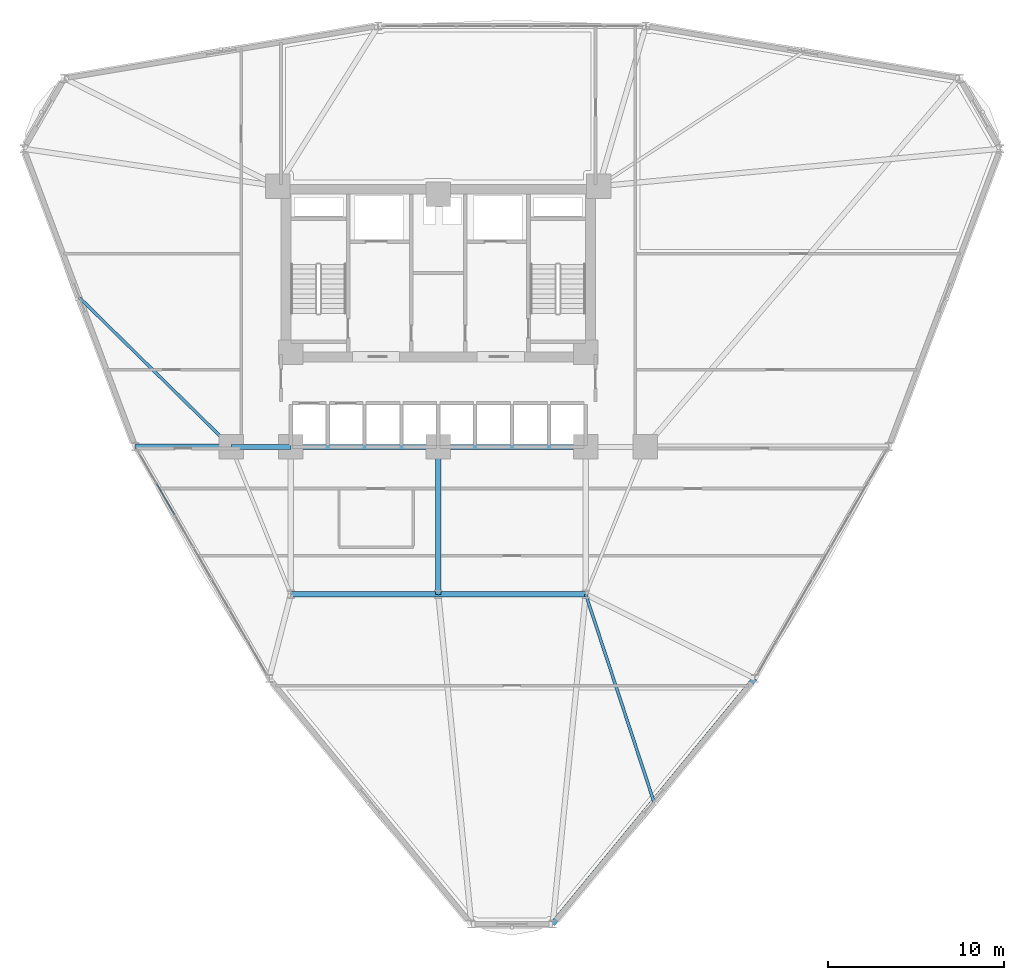
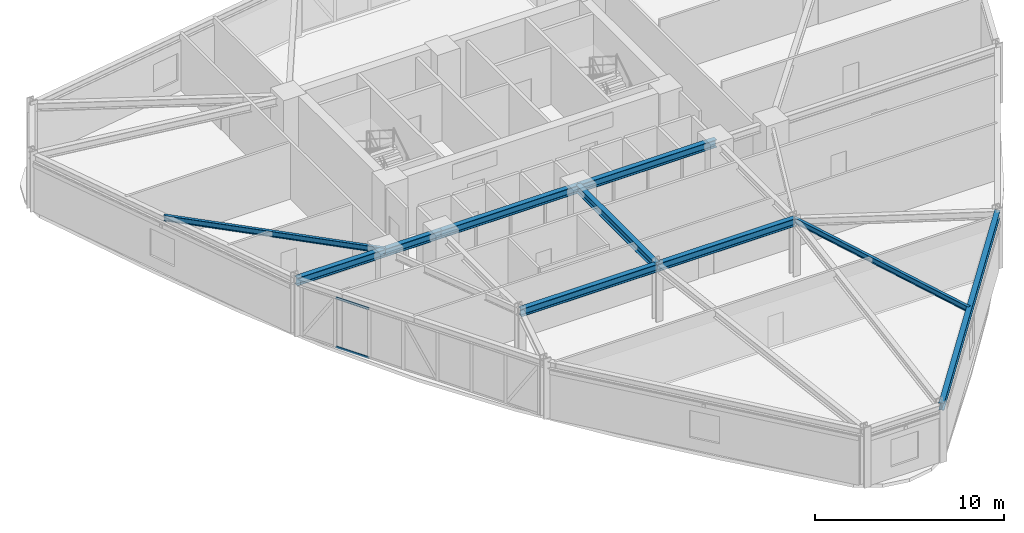
# One storey, part 5 of 20: 10 beams, 2 members, 1 element without a shape of its own.
"""IFC4 building model written with IfcOpenShell, lengths in metres."""

from ifc_helpers import new_model, si_unit, derived_unit, direction, frame, origin, origin_2d, place, context, subcontext, project, spatial, hollow_rectangle, i_section, extrude, source, transform, mapped, material, layer, layer_set, material_profile, profile_set, type_object, element, aggregate, save


model = new_model("IFC4")

# Units and contexts
model_context = context("Model", 3, precision=1e-05, world=origin(), true_north=direction((0.0, 1.0)))
body_context = subcontext(model_context, "Body", "Model", "MODEL_VIEW")
ifc_project = project(units=[si_unit("LENGTHUNIT", "METRE"), si_unit("AREAUNIT", "SQUARE_METRE"), si_unit("VOLUMEUNIT", "CUBIC_METRE"), si_unit("PLANEANGLEUNIT", "RADIAN"), si_unit("MASSUNIT", "GRAM", prefix="KILO"), derived_unit("THERMALTRANSMITTANCEUNIT", [(si_unit("POWERUNIT", "WATT"), 1), (si_unit("LENGTHUNIT", "METRE"), -2), (si_unit("THERMODYNAMICTEMPERATUREUNIT", "KELVIN"), -1)])], contexts=[model_context])

# Site, building, storey
site_placement = place(None, origin())
site = spatial("IfcSite", under=ifc_project, at=site_placement, CompositionType="ELEMENT")
building_placement = place(site_placement, origin())
building = spatial("IfcBuilding", under=site, at=building_placement, Name="Korsvarv Bourse and Concert Hall", CompositionType="ELEMENT")
storey_placement = place(building_placement, frame((0.0, 0.0, 67.800048828125)))
storey = spatial("IfcBuildingStorey", under=building, at=storey_placement, Name="L16", CompositionType="ELEMENT", Elevation=67.800048828125)

# Beams
ifc_material_1 = material(Name="Steel S355", Category="steel")
ifc_material_profile_1 = material_profile(ifc_material_1, i_section(OverallWidth=0.300048828125, OverallDepth=0.5, WebThickness=0.014404296875, FlangeThickness=0.028076171875, FilletRadius=0.02392578125, at=origin_2d()), Name="HEB 500")
ifc_profile_set_1 = profile_set([ifc_material_profile_1], Name="Steel S355")
beam_type_1 = type_object("IfcBeamType", Name="BM-HEB500", PredefinedType="BEAM", material=ifc_profile_set_1)
shared_shape_1 = source(origin(), body_context, "Body", "SweptSolid", [
    extrude(i_section(OverallWidth=0.300048828125, OverallDepth=0.5, WebThickness=0.014404296875, FlangeThickness=0.028076171875, FilletRadius=0.02392578125, at=origin_2d()), origin(), (0.0, 0.0, 1.0), 3.400146484375),
])
beam_1_placement = place(storey_placement, frame((24.199951171875, 32.39990234375, 3.429931640625), z_axis=(1.0, 0.0, 0.0), x_axis=(0.0, 1.0, 0.0)))
element("IfcBeam", 1, at=beam_1_placement, inside=storey, type_object=beam_type_1, Name="L16 beam B-07", PredefinedType="BEAM", context=body_context, shape_type="MappedRepresentation", body=[
    mapped(shared_shape_1, transform((0.0, 0.0, 0.0), scale=1.0)),
])
shared_shape_2 = source(origin(), body_context, "Body", "SweptSolid", [
    extrude(i_section(OverallWidth=0.300048828125, OverallDepth=0.5, WebThickness=0.014404296875, FlangeThickness=0.028076171875, FilletRadius=0.02392578125, at=origin_2d()), origin(), (0.0, 0.0, 1.0), 8.39990234375),
])
for number, where, z_axis, x_axis, name in (
    (2, (27.60009765625, 32.39990234375, 3.429931640625), (1.0, 0.0, 0.0), (0.0, 1.0, 0.0), "L16 beam B-07"),
    (3, (36.0, 32.39990234375, 3.429931640625), (1.0, 0.0, 0.0), (0.0, 1.0, 0.0), "L16 beam B-07"),
    (4, (27.60009765625, 24.0, 3.429931640625), (1.0, 0.0, 0.0), (0.0, 1.0, 0.0), "L16 beam B-07"),
    (5, (36.0, 24.0, 3.429931640625), (1.0, 0.0, 0.0), (0.0, 1.0, 0.0), "L16 beam B-07"),
    (6, (36.0, 24.0, 3.429931640625), (0.0, 1.0, 0.0), (-1.0, 0.0, 0.0), "L16 beam B-07"),
):
    element("IfcBeam", number, at=place(storey_placement, frame(where, z_axis=z_axis, x_axis=x_axis)), inside=storey, type_object=beam_type_1, Name=name, PredefinedType="BEAM", context=body_context, shape_type="MappedRepresentation", body=[
        mapped(shared_shape_2, transform((0.0, 0.0, 0.0), scale=1.0)),
    ])
ifc_material_profile_2 = material_profile(ifc_material_1, i_section(OverallWidth=0.300048828125, OverallDepth=0.449951171875, WebThickness=0.013916015625, FlangeThickness=0.02587890625, FilletRadius=0.02099609375, at=origin_2d()), Name="HEB 450")
ifc_profile_set_2 = profile_set([ifc_material_profile_2], Name="Steel S355")
beam_type_2 = type_object("IfcBeamType", Name="BM-HEB450", PredefinedType="SPANDREL", material=ifc_profile_set_2)
shared_shape_3 = source(origin(), body_context, "Body", "SweptSolid", [
    extrude(i_section(OverallWidth=0.300048828125, OverallDepth=0.449951171875, WebThickness=0.013916015625, FlangeThickness=0.02587890625, FilletRadius=0.02099609375, at=origin_2d()), origin(), (0.0, 0.0, 1.0), 18.117431640625),
])
beam_2_placement = place(storey_placement, frame((42.51904296875, 5.218994140625, 3.454833984375), z_axis=(0.635544282578, 0.772064417573, 0.0), x_axis=(-0.772064417573, 0.635544282578, 0.0)))
element("IfcBeam", 7, at=beam_2_placement, inside=storey, type_object=beam_type_2, Name="L16 beam B-08", PredefinedType="SPANDREL", context=body_context, shape_type="MappedRepresentation", body=[
    mapped(shared_shape_3, transform((0.0, 0.0, 0.0), scale=1.0)),
])
shared_shape_4 = source(origin(), body_context, "Body", "SweptSolid", [
    extrude(i_section(OverallWidth=0.300048828125, OverallDepth=0.5, WebThickness=0.014404296875, FlangeThickness=0.028076171875, FilletRadius=0.02392578125, at=origin_2d()), origin(), (0.0, 0.0, 1.0), 5.460205078125),
])
beam_3_placement = place(storey_placement, frame((18.73974609375, 32.41650390625, 3.429931640625), z_axis=(0.999995377818, -0.003040450959, 0.0), x_axis=(0.003040450959, 0.999995377818, 0.0)))
element("IfcBeam", 8, at=beam_3_placement, inside=storey, type_object=beam_type_1, Name="L16 beam B-07", PredefinedType="BEAM", context=body_context, shape_type="MappedRepresentation", body=[
    mapped(shared_shape_4, transform((0.0, 0.0, 0.0), scale=1.0)),
])
ifc_material_profile_3 = material_profile(ifc_material_1, i_section(OverallWidth=0.169921875, OverallDepth=0.360107421875, WebThickness=0.008056640625, FlangeThickness=0.0126953125, FilletRadius=0.01806640625, at=origin_2d()), Name="IPE 360")
ifc_profile_set_3 = profile_set([ifc_material_profile_3], Name="Steel S355")
beam_type_3 = type_object("IfcBeamType", Name="BM-IPE360", PredefinedType="JOIST", material=ifc_profile_set_3)
shared_shape_5 = source(origin(), body_context, "Body", "SweptSolid", [
    extrude(i_section(OverallWidth=0.169921875, OverallDepth=0.360107421875, WebThickness=0.008056640625, FlangeThickness=0.0126953125, FilletRadius=0.01806640625, at=origin_2d()), origin(), (0.0, 0.0, 1.0), 12.11865234375),
])
beam_4_placement = place(storey_placement, frame((15.5615234375, 40.8994140625, 3.5), z_axis=(0.712815001922, -0.701352103465, 0.0), x_axis=(0.701352103465, 0.712815001922, 0.0)))
element("IfcBeam", 9, at=beam_4_placement, inside=storey, type_object=beam_type_3, Name="L16 beam J-06", PredefinedType="JOIST", context=body_context, shape_type="MappedRepresentation", body=[
    mapped(shared_shape_5, transform((0.0, 0.0, 0.0), scale=1.0)),
])
shared_shape_6 = source(origin(), body_context, "Body", "SweptSolid", [
    extrude(i_section(OverallWidth=0.169921875, OverallDepth=0.360107421875, WebThickness=0.008056640625, FlangeThickness=0.0126953125, FilletRadius=0.01806640625, at=origin_2d()), origin(), (0.0, 0.0, 1.0), 12.408203125),
])
beam_5_placement = place(storey_placement, frame((48.276123046875, 12.212890625, 3.5), z_axis=(-0.312394289693, 0.949952529218, 0.0), x_axis=(-0.949952529218, -0.312394289693, 0.0)))
element("IfcBeam", 10, at=beam_5_placement, inside=storey, type_object=beam_type_3, Name="L16 beam J-06", PredefinedType="JOIST", context=body_context, shape_type="MappedRepresentation", body=[
    mapped(shared_shape_6, transform((0.0, 0.0, 0.0), scale=1.0)),
])

# Curtain wall, members
ifc_material_2 = material(Name="Anodised aluminium and triple low-E glazing", Category="glass")
ifc_layer = layer(ifc_material_2, 0.219970703125)
ifc_layer_set = layer_set([ifc_layer], Name="Anodised aluminium and triple low-E glazing")
curtain_wall_type = type_object("IfcCurtainWallType", Name="CW-SYS-1", PredefinedType="NOTDEFINED", material=ifc_layer_set)
curtain_wall_placement = place(storey_placement, origin())
curtain_wall = element("IfcCurtainWall", 11, at=curtain_wall_placement, inside=storey, type_object=curtain_wall_type, Name="L16 CW1 curtain wall CW-L16-F07", PredefinedType="NOTDEFINED")
ifc_material_3 = material(Name="Extruded aluminium EN AW-6063 T66", Category="aluminium")
ifc_material_profile_4 = material_profile(ifc_material_3, hollow_rectangle(XDim=0.06494140625, YDim=0.139892578125, WallThickness=0.00390625, at=origin_2d()), Name="ALU-T 65x140")
ifc_profile_set_4 = profile_set([ifc_material_profile_4], Name="Extruded aluminium EN AW-6063 T66")
member_type = type_object("IfcMemberType", Name="CWT-140", PredefinedType="USERDEFINED", material=ifc_profile_set_4)
shared_shape_7 = source(origin(), body_context, "Body", "SweptSolid", [
    extrude(hollow_rectangle(XDim=0.06494140625, YDim=0.139892578125, WallThickness=0.00390625, at=origin_2d()), origin(), (0.0, 0.0, 1.0), 2.0146484375),
])
member_1_placement = place(storey_placement, frame((19.965087890625, 30.294189453125, 0.032470703125), z_axis=(0.500023174947, -0.866012023309, 0.0), x_axis=(0.866012023309, 0.500023174947, 0.0)))
member_1 = element("IfcMember", 12, at=member_1_placement, type_object=member_type, Name="CW1 transom 2.1", ObjectType="TRANSOM", PredefinedType="USERDEFINED", context=body_context, shape_type="MappedRepresentation", body=[
    mapped(shared_shape_7, transform((0.0, 0.0, 0.0), scale=1.0)),
])
member_2_placement = place(storey_placement, frame((19.965087890625, 30.294189453125, 3.197509765625), z_axis=(0.500023174947, -0.866012023309, 0.0), x_axis=(0.866012023309, 0.500023174947, 0.0)))
member_2 = element("IfcMember", 13, at=member_2_placement, type_object=member_type, Name="CW1 transom 2.2", ObjectType="TRANSOM", PredefinedType="USERDEFINED", context=body_context, shape_type="MappedRepresentation", body=[
    mapped(shared_shape_7, transform((0.0, 0.0, 0.0), scale=1.0)),
])
aggregate(curtain_wall, [member_1, member_2])

save(model, "model.ifc")
